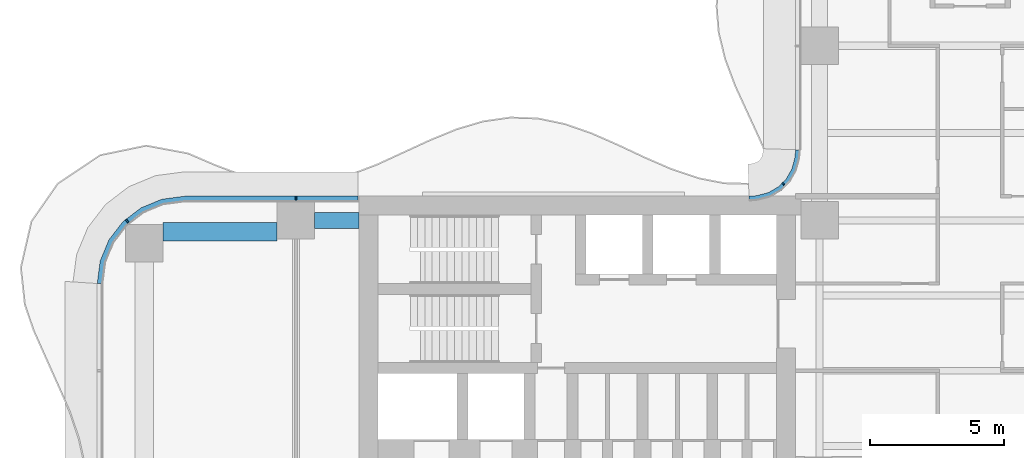
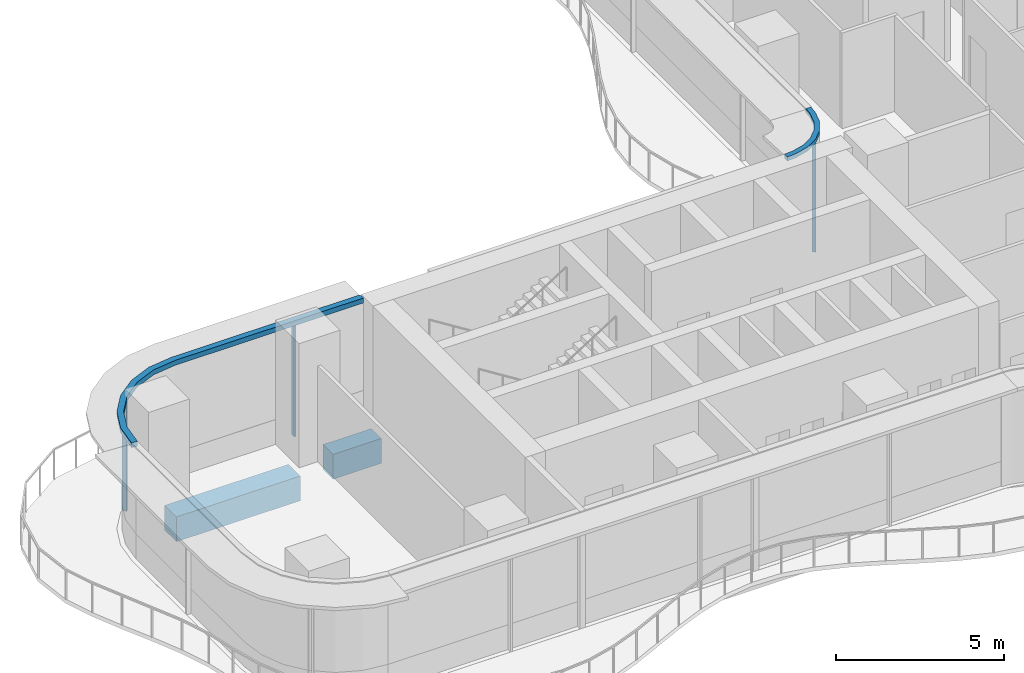
# One storey, part 8 of 22: 5 members, 2 beams, 2 elements without a shape of their own.
"""IFC4 building model written with IfcOpenShell, lengths in metres."""

from ifc_helpers import new_model, si_unit, direction, frame, origin, origin_2d, place, context, subcontext, project, spatial, polyline, rectangle, outline, extrude, source, transform, mapped, material, layer, layer_set, material_profile, profile_set, type_object, element, aggregate, save


model = new_model("IFC4")

# Units and contexts
model_context = context("Model", 3, precision=1e-05, world=origin(), true_north=direction((0.0, 1.0)))
body_context = subcontext(model_context, "Body", "Model", "MODEL_VIEW")
ifc_project = project(units=[si_unit("LENGTHUNIT", "METRE"), si_unit("AREAUNIT", "SQUARE_METRE"), si_unit("VOLUMEUNIT", "CUBIC_METRE"), si_unit("PLANEANGLEUNIT", "RADIAN"), si_unit("MASSUNIT", "GRAM", prefix="KILO")], contexts=[model_context])

# Site, building, storey
site_placement = place(None, origin())
site = spatial("IfcSite", under=ifc_project, at=site_placement, CompositionType="ELEMENT")
building_placement = place(site_placement, origin())
building = spatial("IfcBuilding", under=site, at=building_placement, Name="Trellis Farm Tower", CompositionType="ELEMENT")
storey_placement = place(building_placement, frame((0.0, 0.0, 52.0)))
storey = spatial("IfcBuildingStorey", under=building, at=storey_placement, Name="L10", CompositionType="ELEMENT", Elevation=52.0)

# Beams
ifc_material_1 = material(Name="Concrete C60/75", Category="concrete")
ifc_material_profile_1 = material_profile(ifc_material_1, rectangle(XDim=0.699951171875, YDim=0.89990234375, at=origin_2d()), Name="RC spandrel beam 700x900 C60/75")
ifc_profile_set_1 = profile_set([ifc_material_profile_1], Name="Concrete C60/75")
beam_type_1 = type_object("IfcBeamType", Name="RC spandrel beam 700x900 C60/75", PredefinedType="SPANDREL", material=ifc_profile_set_1)
shared_shape_1 = source(origin(), body_context, "Body", "SweptSolid", [
    extrude(rectangle(XDim=0.699951171875, YDim=0.89990234375, at=origin_2d()), origin(), (0.0, 0.0, 1.0), 4.25),
])
beam_1_placement = place(storey_placement, frame((-30.050048828125, 5.175048828125, -0.699951171875), z_axis=(1.0, 0.0, 0.0), x_axis=(0.0, 1.0, 0.0)))
element("IfcBeam", 1, at=beam_1_placement, inside=storey, type_object=beam_type_1, Name="Girder", PredefinedType="SPANDREL", context=body_context, shape_type="MappedRepresentation", body=[
    mapped(shared_shape_1, transform((0.0, 0.0, 0.0))),
])
ifc_material_profile_2 = material_profile(ifc_material_1, rectangle(XDim=0.60009765625, YDim=0.89990234375, at=origin_2d()), Name="RC spandrel beam 600x900 C60/75")
ifc_profile_set_2 = profile_set([ifc_material_profile_2], Name="Concrete C60/75")
beam_type_2 = type_object("IfcBeamType", Name="RC spandrel beam 600x900 C60/75", PredefinedType="SPANDREL", material=ifc_profile_set_2)
shared_shape_2 = source(origin(), body_context, "Body", "SweptSolid", [
    extrude(rectangle(XDim=0.60009765625, YDim=0.89990234375, at=origin_2d()), origin(), (0.0, 0.0, 1.0), 1.64990234375),
])
beam_2_placement = place(storey_placement, frame((-24.39990234375, 5.60009765625, -0.699951171875), z_axis=(1.0, 0.0, 0.0), x_axis=(0.0, 1.0, 0.0)))
element("IfcBeam", 2, at=beam_2_placement, inside=storey, type_object=beam_type_2, Name="Girder", PredefinedType="SPANDREL", context=body_context, shape_type="MappedRepresentation", body=[
    mapped(shared_shape_2, transform((0.0, 0.0, 0.0))),
])

# Curtain wall, members
ifc_material_2 = material(Name="Aluminium and glass curtain wall", Category="aluminium")
ifc_layer_1 = layer(ifc_material_2, 0.18994140625)
ifc_layer_set_1 = layer_set([ifc_layer_1], Name="RIBBON CURTAIN WALL CW1")
curtain_wall_type_1 = type_object("IfcCurtainWallType", Name="RIBBON CURTAIN WALL CW1", PredefinedType="NOTDEFINED", material=ifc_layer_set_1)
placement = place(storey_placement, origin())
curtain_wall_1 = element("IfcCurtainWall", 3, at=placement, inside=storey, type_object=curtain_wall_type_1, Name="CW1 012", PredefinedType="NOTDEFINED")
ifc_material_3 = material(Name="Aluminium extrusion 6063-T6", Category="aluminium")
ifc_material_profile_3 = material_profile(ifc_material_3, rectangle(XDim=0.06005859375, YDim=0.14990234375, at=origin_2d()), Name="MULLION 60x150")
ifc_profile_set_3 = profile_set([ifc_material_profile_3], Name="Aluminium extrusion 6063-T6")
member_type_1 = type_object("IfcMemberType", Name="CW1 MULLION 60x150", PredefinedType="MULLION", material=ifc_profile_set_3)
shared_shape_3 = source(origin(), body_context, "Body", "SweptSolid", [
    extrude(rectangle(XDim=0.06005859375, YDim=0.14990234375, at=origin_2d()), origin(), (0.0, 0.0, 1.0), 4.070068359375),
])
member_1_placement = place(storey_placement, frame((-25.10009765625, 6.425048828125, 0.0), z_axis=(0.0, 0.0, 1.0), x_axis=(-1.0, 0.0, 0.0)))
member_1 = element("IfcMember", 4, at=member_1_placement, type_object=member_type_1, Name="MU1 012-01", PredefinedType="MULLION", context=body_context, shape_type="MappedRepresentation", body=[
    mapped(shared_shape_3, transform((0.0, 0.0, 0.0))),
])
member_2_placement = place(storey_placement, frame((-31.385498046875, 5.578369140625, 0.0), z_axis=(0.0, 0.0, 1.0), x_axis=(-0.793353340291, -0.608761429009, 0.0)))
member_2 = element("IfcMember", 5, at=member_2_placement, type_object=member_type_1, Name="MU1 012-02", PredefinedType="MULLION", context=body_context, shape_type="MappedRepresentation", body=[
    mapped(shared_shape_3, transform((0.0, 0.0, 0.0))),
])

ifc_layer_2 = layer(ifc_material_2, 0.166015625)
ifc_layer_set_2 = layer_set([ifc_layer_2], Name="WINTER GARDEN CURTAIN WALL CW3")
curtain_wall_type_2 = type_object("IfcCurtainWallType", Name="WINTER GARDEN CURTAIN WALL CW3", PredefinedType="NOTDEFINED", material=ifc_layer_set_2)
curtain_wall_2 = element("IfcCurtainWall", 6, at=placement, inside=storey, type_object=curtain_wall_type_2, Name="CW3 004", PredefinedType="NOTDEFINED")
ifc_material_profile_4 = material_profile(ifc_material_3, rectangle(XDim=0.050048828125, YDim=0.1201171875, at=origin_2d()), Name="MULLION 50x120")
ifc_profile_set_4 = profile_set([ifc_material_profile_4], Name="Aluminium extrusion 6063-T6")
member_type_2 = type_object("IfcMemberType", Name="CW3 MULLION 50x120", PredefinedType="MULLION", material=ifc_profile_set_4)
shared_shape_4 = source(origin(), body_context, "Body", "SweptSolid", [
    extrude(rectangle(XDim=0.050048828125, YDim=0.1201171875, at=origin_2d()), origin(), (0.0, 0.0, 1.0), 4.10009765625),
])
member_3_placement = place(storey_placement, frame((-6.953125, 6.953125, 0.0), z_axis=(0.0, 0.0, 1.0), x_axis=(-0.707106781187, -0.707106781187, 0.0)))
member_3 = element("IfcMember", 7, at=member_3_placement, type_object=member_type_2, Name="MU3 004-01", PredefinedType="MULLION", context=body_context, shape_type="MappedRepresentation", body=[
    mapped(shared_shape_4, transform((0.0, 0.0, 0.0))),
])
ifc_layer_3 = layer(ifc_material_3, 0.169921875)
ifc_layer_set_3 = layer_set([ifc_layer_3], Name="Aluminium extrusion 6063-T6")
member_type_3 = type_object("IfcMemberType", Name="CW3 TRANSOM 170x150", PredefinedType="USERDEFINED", material=ifc_layer_set_3)
shared_shape_5 = source(origin(), body_context, "Body", "SweptSolid", [
    extrude(outline(polyline([(-6.5, 8.2314453125), (-6.513916015625, 8.01953125), (-6.527587890625, 7.91552734375), (-6.63671875, 7.508544921875), (-6.846923828125, 7.144287109375), (-7.144287109375, 6.846923828125), (-7.508544921875, 6.63671875), (-7.91552734375, 6.527587890625), (-8.01953125, 6.513916015625), (-8.2314453125, 6.5), (-8.225830078125, 6.330078125), (-8.0029296875, 6.3447265625), (-7.88232421875, 6.360595703125), (-7.44287109375, 6.478271484375), (-7.0400390625, 6.7109375), (-6.7109375, 7.0400390625), (-6.478271484375, 7.44287109375), (-6.360595703125, 7.88232421875), (-6.3447265625, 8.0029296875), (-6.330078125, 8.225830078125), (-6.5, 8.2314453125)])), origin(), (0.0, 0.0, 1.0), 0.14990234375),
])
member_4_placement = place(storey_placement, frame((0.0, 0.0, 4.10009765625)))
member_4 = element("IfcMember", 8, at=member_4_placement, type_object=member_type_3, Name="TR3 004", ObjectType="TRANSOM", PredefinedType="USERDEFINED", context=body_context, shape_type="MappedRepresentation", body=[
    mapped(shared_shape_5, transform((0.0, 0.0, 0.0))),
])
aggregate(curtain_wall_2, [member_3, member_4])

# Member
ifc_layer_4 = layer(ifc_material_3, 0.199951171875)
ifc_layer_set_4 = layer_set([ifc_layer_4], Name="Aluminium extrusion 6063-T6")
member_type_4 = type_object("IfcMemberType", Name="CW1 TRANSOM 200x180", PredefinedType="USERDEFINED", material=ifc_layer_set_4)
shared_shape_6 = source(origin(), body_context, "Body", "SweptSolid", [
    extrude(outline(polyline([(-22.780029296875, 6.5), (-29.25, 6.5), (-30.091064453125, 6.38916015625), (-30.875, 6.064697265625), (-31.548095703125, 5.548095703125), (-32.064697265625, 4.875), (-32.38916015625, 4.091064453125), (-32.5, 3.25), (-32.300048828125, 3.23681640625), (-32.1943359375, 4.0390625), (-31.889892578125, 4.774169921875), (-31.405517578125, 5.405517578125), (-30.774169921875, 5.889892578125), (-30.0390625, 6.1943359375), (-29.23681640625, 6.300048828125), (-22.780029296875, 6.300048828125), (-22.780029296875, 6.5)])), origin(), (0.0, 0.0, 1.0), 0.179931640625),
])
member_5_placement = place(storey_placement, frame((0.0, 0.0, 4.070068359375)))
member_5 = element("IfcMember", 9, at=member_5_placement, type_object=member_type_4, Name="TR1 012", ObjectType="TRANSOM", PredefinedType="USERDEFINED", context=body_context, shape_type="MappedRepresentation", body=[
    mapped(shared_shape_6, transform((0.0, 0.0, 0.0))),
])

aggregate(curtain_wall_1, [member_1, member_2, member_5])

save(model, "model.ifc")
